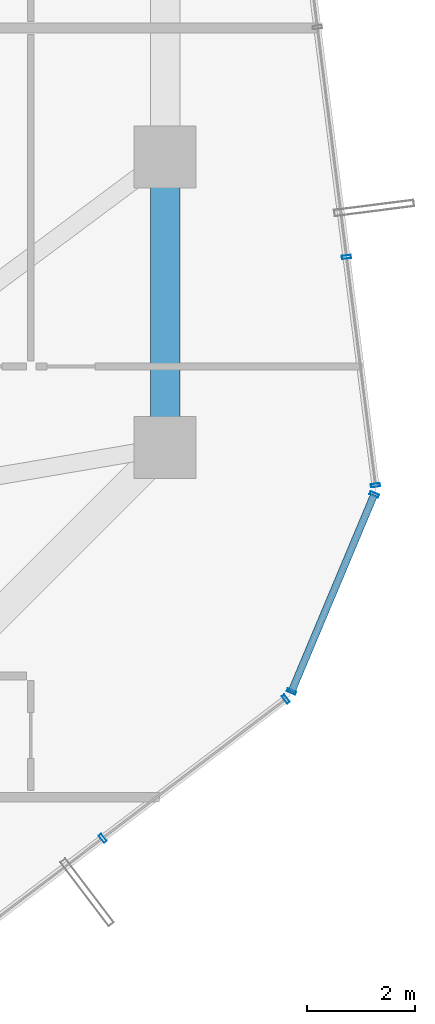
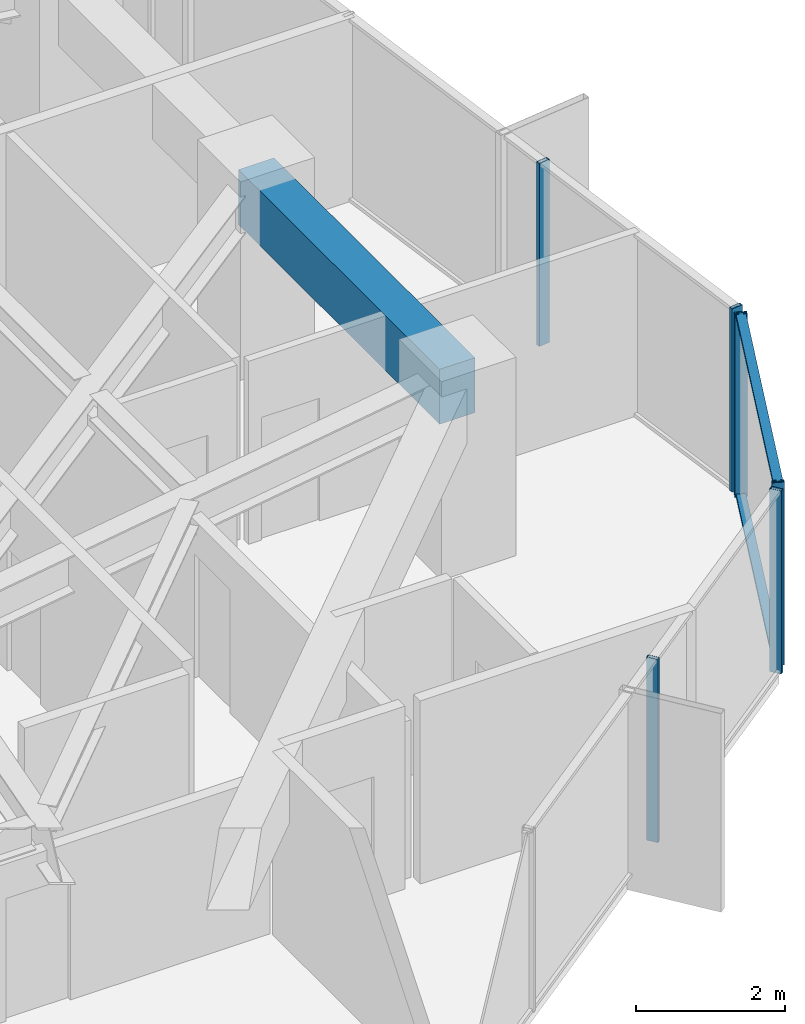
# One storey, part 15 of 33: 8 members, 1 beam, 3 elements without a shape of their own.
"""IFC4 building model written with IfcOpenShell, lengths in metres."""

from ifc_helpers import new_model, si_unit, direction, frame, origin, origin_2d, place, context, subcontext, project, spatial, rectangle, hollow_rectangle, extrude, source, transform, mapped, material, layer, layer_set, material_profile, profile_set, type_object, element, aggregate, save


model = new_model("IFC4")

# Units and contexts
model_context = context("Model", 3, precision=1e-05, world=origin(), true_north=direction((0.0, 1.0)))
body_context = subcontext(model_context, "Body", "Model", "MODEL_VIEW")
ifc_project = project(units=[si_unit("LENGTHUNIT", "METRE"), si_unit("AREAUNIT", "SQUARE_METRE"), si_unit("VOLUMEUNIT", "CUBIC_METRE"), si_unit("PLANEANGLEUNIT", "RADIAN"), si_unit("MASSUNIT", "GRAM", prefix="KILO")], contexts=[model_context])

# Site, building, storey
site_placement = place(None, origin())
site = spatial("IfcSite", under=ifc_project, at=site_placement, CompositionType="ELEMENT")
building_placement = place(site_placement, origin())
building = spatial("IfcBuilding", under=site, at=building_placement, Name="Veraguas Prism Commons", CompositionType="ELEMENT")
storey_placement = place(building_placement, frame((0.0, 0.0, 152.25)))
storey = spatial("IfcBuildingStorey", under=building, at=storey_placement, Name="L43", CompositionType="ELEMENT", Elevation=152.25)

# Beam
ifc_material_1 = material(Name="Concrete C50/60", Category="concrete")
ifc_material_profile_1 = material_profile(ifc_material_1, rectangle(XDim=0.550048828125, YDim=0.89990234375, at=origin_2d()), Name="RC550X900")
ifc_profile_set_1 = profile_set([ifc_material_profile_1], Name="Concrete C50/60")
beam_type = type_object("IfcBeamType", Name="Perimeter Spandrel Lower RC 550x900", PredefinedType="SPANDREL", material=ifc_profile_set_1)
beam_placement = place(storey_placement, frame((40.199951171875, 18.60009765625, 2.550048828125), z_axis=(0.0, 1.0, 0.0), x_axis=(-1.0, 0.0, 0.0)))
element("IfcBeam", 1, at=beam_placement, inside=storey, type_object=beam_type, Name="Perimeter Spandrel Beam L43-SP01", PredefinedType="SPANDREL", context=body_context, shape_type="SweptSolid", body=[
    extrude(rectangle(XDim=0.550048828125, YDim=0.89990234375, at=origin_2d()), origin(), (0.0, 0.0, 1.0), 5.39990234375),
])

# Curtain wall, members
ifc_material_2 = material(Name="Anodised aluminium EN AW-6063 T6", Category="aluminium")
ifc_layer = layer(ifc_material_2, 0.169921875, Name="Unitised Flush Curtain Wall Zone 2", Category="aluminium")
ifc_layer_set = layer_set([ifc_layer], Name="Anodised aluminium EN AW-6063 T6")
curtain_wall_type = type_object("IfcCurtainWallType", Name="Unitised Flush Curtain Wall Zone 2", PredefinedType="NOTDEFINED", material=ifc_layer_set)
curtain_wall_1_placement = place(storey_placement, origin())
curtain_wall_1 = element("IfcCurtainWall", 2, at=curtain_wall_1_placement, inside=storey, type_object=curtain_wall_type, Name="Tower Facade Curtain Wall L43-F5", PredefinedType="NOTDEFINED")
ifc_material_profile_2 = material_profile(ifc_material_2, hollow_rectangle(XDim=0.06005859375, YDim=0.169921875, WallThickness=0.00390625, at=origin_2d()), Name="AL60X170X4")
ifc_profile_set_2 = profile_set([ifc_material_profile_2], Name="Anodised aluminium EN AW-6063 T6")
member_type_1 = type_object("IfcMemberType", Name="Curtain Wall Mullion Lower AL 60x170x4", PredefinedType="MULLION", material=ifc_profile_set_2)
shared_shape_1 = source(origin(), body_context, "Body", "SweptSolid", [
    extrude(hollow_rectangle(XDim=0.06005859375, YDim=0.169921875, WallThickness=0.00390625, at=origin_2d()), origin(), (0.0, 0.0, 1.0), 3.0),
])
member_1_placement = place(storey_placement, frame((39.038330078125, 11.3359375, 0.0), z_axis=(0.0, 0.0, 1.0), x_axis=(0.796104465545, 0.605159218668, 0.0)))
member_1 = element("IfcMember", 3, at=member_1_placement, type_object=member_type_1, Name="CW-Z2 Mullion 4", PredefinedType="MULLION", context=body_context, shape_type="MappedRepresentation", body=[
    mapped(shared_shape_1, transform((0.0, 0.0, 0.0), scale=1.0)),
])
member_2_placement = place(storey_placement, frame((42.444580078125, 13.92529296875, 0.0), z_axis=(0.0, 0.0, 1.0), x_axis=(0.796104465545, 0.605159218668, 0.0)))
member_2 = element("IfcMember", 4, at=member_2_placement, type_object=member_type_1, Name="CW-Z2 Mullion 5", PredefinedType="MULLION", context=body_context, shape_type="MappedRepresentation", body=[
    mapped(shared_shape_1, transform((0.0, 0.0, 0.0), scale=1.0)),
])
aggregate(curtain_wall_1, [member_1, member_2])

curtain_wall_2_placement = place(storey_placement, origin())
curtain_wall_2 = element("IfcCurtainWall", 5, at=curtain_wall_2_placement, inside=storey, type_object=curtain_wall_type, Name="Tower Facade Curtain Wall L43-F6", PredefinedType="NOTDEFINED")
member_3_placement = place(storey_placement, frame((44.11181640625, 17.898681640625, 0.0), z_axis=(0.0, 0.0, 1.0), x_axis=(-0.126020635446, 0.992027620302, 0.0)))
member_3 = element("IfcMember", 6, at=member_3_placement, type_object=member_type_1, Name="CW-Z2 Mullion 1", PredefinedType="MULLION", context=body_context, shape_type="MappedRepresentation", body=[
    mapped(shared_shape_1, transform((0.0, 0.0, 0.0), scale=1.0)),
])
member_4_placement = place(storey_placement, frame((43.572509765625, 22.143310546875, 0.0), z_axis=(0.0, 0.0, 1.0), x_axis=(-0.126020635446, 0.992027620302, 0.0)))
member_4 = element("IfcMember", 7, at=member_4_placement, type_object=member_type_1, Name="CW-Z2 Mullion 2", PredefinedType="MULLION", context=body_context, shape_type="MappedRepresentation", body=[
    mapped(shared_shape_1, transform((0.0, 0.0, 0.0), scale=1.0)),
])
aggregate(curtain_wall_2, [member_3, member_4])

curtain_wall_3_placement = place(storey_placement, origin())
curtain_wall_3 = element("IfcCurtainWall", 8, at=curtain_wall_3_placement, inside=storey, type_object=curtain_wall_type, Name="Chamfer Curtain Wall L43-C6", PredefinedType="NOTDEFINED")
member_5_placement = place(storey_placement, frame((42.551025390625, 14.062744140625, 0.0), z_axis=(0.0, 0.0, 1.0), x_axis=(0.386881566717, 0.922129412466, 0.0)))
member_5 = element("IfcMember", 9, at=member_5_placement, type_object=member_type_1, Name="CW-Z2 Mullion 1", PredefinedType="MULLION", context=body_context, shape_type="MappedRepresentation", body=[
    mapped(shared_shape_1, transform((0.0, 0.0, 0.0), scale=1.0)),
])
member_6_placement = place(storey_placement, frame((44.08837890625, 17.7265625, 0.0), z_axis=(0.0, 0.0, 1.0), x_axis=(0.386881566717, 0.922129412466, 0.0)))
member_6 = element("IfcMember", 10, at=member_6_placement, type_object=member_type_1, Name="CW-Z2 Mullion 2", PredefinedType="MULLION", context=body_context, shape_type="MappedRepresentation", body=[
    mapped(shared_shape_1, transform((0.0, 0.0, 0.0), scale=1.0)),
])
ifc_material_profile_3 = material_profile(ifc_material_2, hollow_rectangle(XDim=0.054931640625, YDim=0.135009765625, WallThickness=0.0029296875, at=origin_2d()), Name="AL55X135X3")
ifc_profile_set_3 = profile_set([ifc_material_profile_3], Name="Anodised aluminium EN AW-6063 T6")
member_type_2 = type_object("IfcMemberType", Name="Curtain Wall Transom Standard AL 55x135x3", PredefinedType="USERDEFINED", material=ifc_profile_set_3)
shared_shape_2 = source(origin(), body_context, "Body", "SweptSolid", [
    extrude(hollow_rectangle(XDim=0.054931640625, YDim=0.135009765625, WallThickness=0.0029296875, at=origin_2d()), origin(), (0.0, 0.0, 1.0), 3.973388671875),
])
member_7_placement = place(storey_placement, frame((42.551025390625, 14.062744140625, 0.027587890625), z_axis=(0.386922205572, 0.922112361285, 0.0), x_axis=(0.0, 0.0, 1.0)))
member_7 = element("IfcMember", 11, at=member_7_placement, type_object=member_type_2, Name="CW-Z2 Transom 1", ObjectType="TRANSOM", PredefinedType="USERDEFINED", context=body_context, shape_type="MappedRepresentation", body=[
    mapped(shared_shape_2, transform((0.0, 0.0, 0.0), scale=1.0)),
])
member_8_placement = place(storey_placement, frame((42.551025390625, 14.062744140625, 2.972412109375), z_axis=(0.386922205572, 0.922112361285, 0.0), x_axis=(0.0, 0.0, 1.0)))
member_8 = element("IfcMember", 12, at=member_8_placement, type_object=member_type_2, Name="CW-Z2 Transom 2", ObjectType="TRANSOM", PredefinedType="USERDEFINED", context=body_context, shape_type="MappedRepresentation", body=[
    mapped(shared_shape_2, transform((0.0, 0.0, 0.0), scale=1.0)),
])
aggregate(curtain_wall_3, [member_5, member_6, member_7, member_8])

save(model, "model.ifc")
